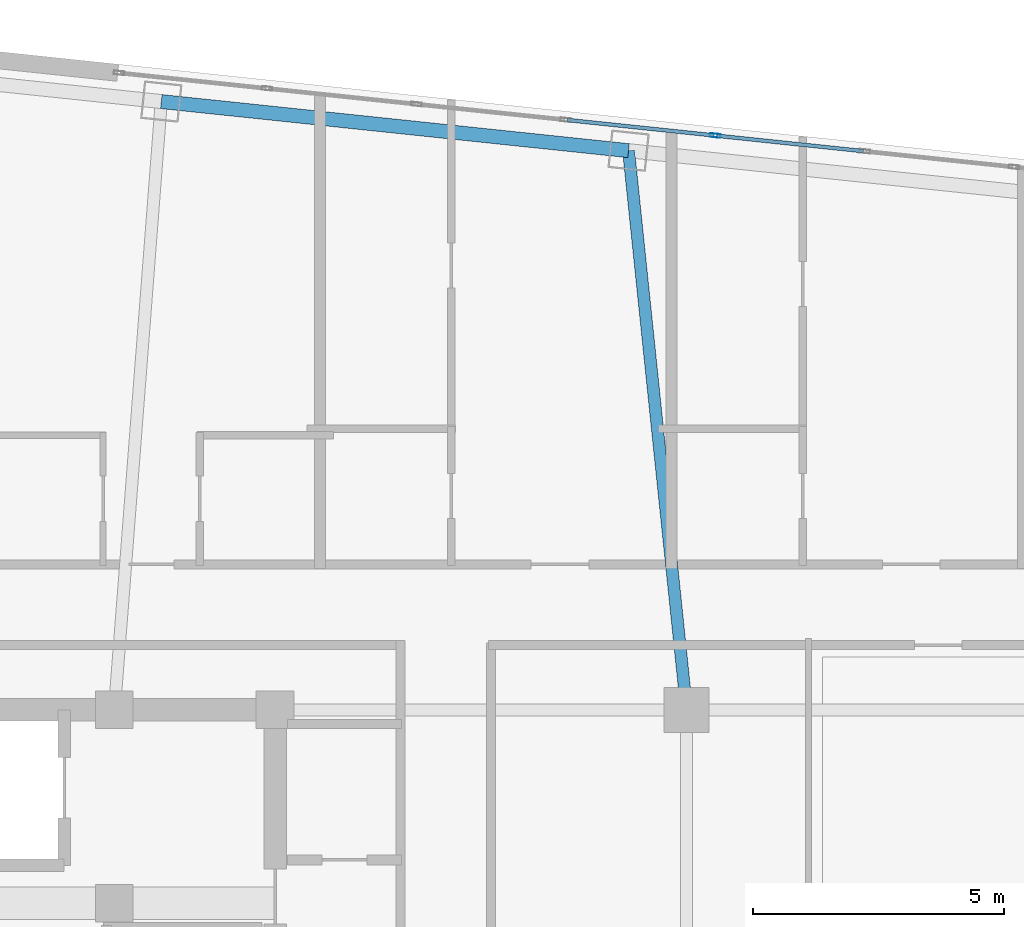
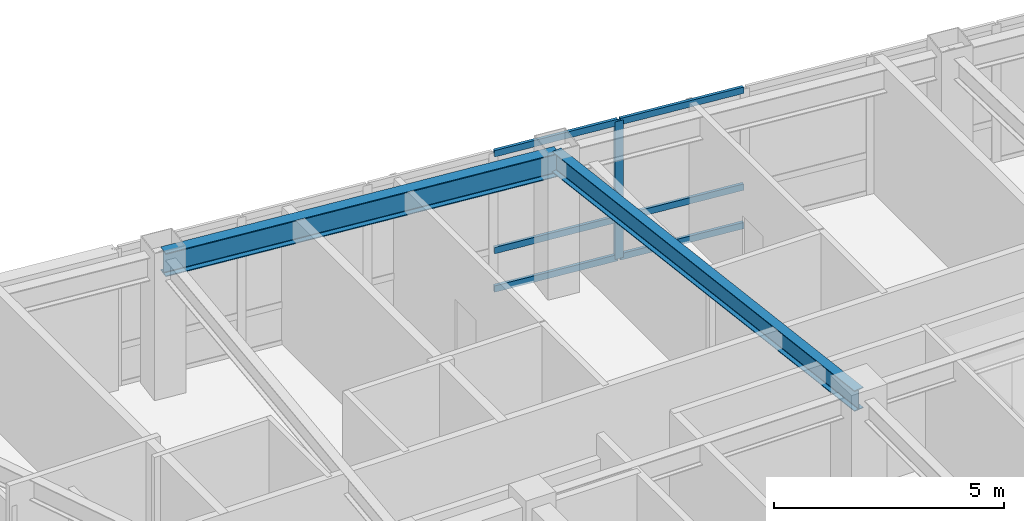
# One storey, part 3 of 16: 7 members, 2 beams, 1 element without a shape of its own.
"""IFC4 building model written with IfcOpenShell, lengths in metres."""

from ifc_helpers import new_model, si_unit, direction, frame, origin, origin_2d, place, context, subcontext, project, spatial, hollow_rectangle, i_section, extrude, material, layer, layer_set, material_profile, profile_set, type_object, element, aggregate, save


model = new_model("IFC4")

# Units and contexts
model_context = context("Model", 3, precision=1e-05, world=origin(), true_north=direction((0.0, 1.0)))
body_context = subcontext(model_context, "Body", "Model", "MODEL_VIEW")
ifc_project = project(units=[si_unit("LENGTHUNIT", "METRE"), si_unit("AREAUNIT", "SQUARE_METRE"), si_unit("VOLUMEUNIT", "CUBIC_METRE"), si_unit("PLANEANGLEUNIT", "RADIAN"), si_unit("MASSUNIT", "GRAM", prefix="KILO")], contexts=[model_context])

# Site, building, storey
site_placement = place(None, origin())
site = spatial("IfcSite", under=ifc_project, at=site_placement, CompositionType="ELEMENT")
building_placement = place(site_placement, origin())
building = spatial("IfcBuilding", under=site, at=building_placement, Name="Voryun Gate Residences", CompositionType="ELEMENT")
storey_placement = place(building_placement, frame((0.0, 0.0, 267.800048828125)))
storey = spatial("IfcBuildingStorey", under=building, at=storey_placement, Name="L66", CompositionType="ELEMENT", Elevation=267.800048828125)

# Beams
ifc_material_1 = material(Name="Steel SM355", Category="steel")
ifc_material_profile_1 = material_profile(ifc_material_1, i_section(OverallWidth=0.280029296875, OverallDepth=0.6201171875, WebThickness=0.013916015625, FlangeThickness=0.02197265625, FilletRadius=0.01806640625, at=origin_2d()), Name="H-620x280x14x22")
ifc_profile_set_1 = profile_set([ifc_material_profile_1], Name="Steel SM355")
beam_type_1 = type_object("IfcBeamType", Name="BM_EXO_SPANDREL_H", PredefinedType="SPANDREL", material=ifc_profile_set_1)
beam_1_placement = place(storey_placement, frame((-5.357177734375, 18.539794921875, 3.33984375), z_axis=(-0.994523303591, 0.104515064059, 0.0), x_axis=(-0.104515064059, -0.994523303591, 0.0)))
element("IfcBeam", 1, at=beam_1_placement, inside=storey, type_object=beam_type_1, Name="BM-L66-SPAND-14", PredefinedType="SPANDREL", context=body_context, shape_type="SweptSolid", body=[
    extrude(i_section(OverallWidth=0.280029296875, OverallDepth=0.6201171875, WebThickness=0.013916015625, FlangeThickness=0.02197265625, FilletRadius=0.01806640625, at=origin_2d()), origin(), (0.0, 0.0, 1.0), 9.360107421875),
])
ifc_material_2 = material(Name="Steel SM355", Category="steel")
ifc_material_profile_2 = material_profile(ifc_material_2, i_section(OverallWidth=0.239990234375, OverallDepth=0.550048828125, WebThickness=0.011962890625, FlangeThickness=0.02001953125, FilletRadius=0.01806640625, at=origin_2d()), Name="H-550x240x12x20")
ifc_profile_set_2 = profile_set([ifc_material_profile_2], Name="Steel SM355")
beam_type_2 = type_object("IfcBeamType", Name="BM_GIRD_550", PredefinedType="USERDEFINED", material=ifc_profile_set_2)
beam_2_placement = place(storey_placement, frame((-4.199951171875, 7.39990234375, 3.375), z_axis=(-0.103325291149, 0.994647618109, 0.0), x_axis=(-0.994647618109, -0.103325291149, 0.0)))
element("IfcBeam", 2, at=beam_2_placement, inside=storey, type_object=beam_type_2, Name="BM-L66-RAD-N4", ObjectType="GIRDER", PredefinedType="USERDEFINED", context=body_context, shape_type="SweptSolid", body=[
    extrude(i_section(OverallWidth=0.239990234375, OverallDepth=0.550048828125, WebThickness=0.011962890625, FlangeThickness=0.02001953125, FilletRadius=0.01806640625, at=origin_2d()), origin(), (0.0, 0.0, 1.0), 11.199951171875),
])

# Curtain wall, members
ifc_material_3 = material(Name="Anodised aluminium", Category="aluminium")
ifc_layer = layer(ifc_material_3, 0.2099609375, Name="CW_SYS_SKYGARDEN_DARK_GLASS")
ifc_layer_set = layer_set([ifc_layer], Name="Anodised aluminium")
curtain_wall_type = type_object("IfcCurtainWallType", Name="CW_SYS_SKYGARDEN_DARK_GLASS", PredefinedType="NOTDEFINED", material=ifc_layer_set)
curtain_wall_placement = place(storey_placement, origin())
curtain_wall = element("IfcCurtainWall", 3, at=curtain_wall_placement, inside=storey, type_object=curtain_wall_type, Name="Curtain wall CW5-L66-SG-11", PredefinedType="NOTDEFINED")
ifc_material_4 = material(Name="Anodised aluminium", Category="aluminium")
ifc_material_profile_3 = material_profile(ifc_material_4, hollow_rectangle(XDim=0.074951171875, YDim=0.2099609375, WallThickness=0.0048828125, at=origin_2d()), Name="ALU-MULL-210x75x5")
ifc_profile_set_3 = profile_set([ifc_material_profile_3], Name="Anodised aluminium")
member_type_1 = type_object("IfcMemberType", Name="CW_MULL_SKY", PredefinedType="MULLION", material=ifc_profile_set_3)
member_1_placement = place(storey_placement, frame((-3.62939453125, 18.8408203125, 0.0), z_axis=(0.0, 0.0, 1.0), x_axis=(0.104532256285, 0.994521496699, 0.0)))
member_1 = element("IfcMember", 4, at=member_1_placement, type_object=member_type_1, Name="CW5 mullion 5", PredefinedType="MULLION", context=body_context, shape_type="SweptSolid", body=[
    extrude(hollow_rectangle(XDim=0.074951171875, YDim=0.2099609375, WallThickness=0.0048828125, at=origin_2d()), origin(), (0.0, 0.0, 1.0), 3.64990234375),
])
ifc_material_5 = material(Name="Anodised aluminium", Category="aluminium")
ifc_material_profile_4 = material_profile(ifc_material_5, hollow_rectangle(XDim=0.074951171875, YDim=0.169921875, WallThickness=0.0048828125, at=origin_2d()), Name="ALU-TRAN-170x75x5")
ifc_profile_set_4 = profile_set([ifc_material_profile_4], Name="Anodised aluminium")
member_type_2 = type_object("IfcMemberType", Name="CW_TRAN_SKY", PredefinedType="USERDEFINED", material=ifc_profile_set_4)
member_2_placement = place(storey_placement, frame((-6.576171875, 19.150634765625, 0.030029296875), z_axis=(0.994520038301, -0.104546130575, 0.0), x_axis=(0.104546130575, 0.994520038301, 0.0)))
member_2 = element("IfcMember", 5, at=member_2_placement, type_object=member_type_2, Name="CW5 transom 4.1", ObjectType="TRANSOM", PredefinedType="USERDEFINED", context=body_context, shape_type="SweptSolid", body=[
    extrude(hollow_rectangle(XDim=0.074951171875, YDim=0.169921875, WallThickness=0.0048828125, at=origin_2d()), origin(), (0.0, 0.0, 1.0), 2.93310546875),
])
member_3_placement = place(storey_placement, frame((-6.576171875, 19.150634765625, 1.050048828125), z_axis=(0.994520038301, -0.104546130575, 0.0), x_axis=(0.104546130575, 0.994520038301, 0.0)))
member_3 = element("IfcMember", 6, at=member_3_placement, type_object=member_type_2, Name="CW5 transom 4.2", ObjectType="TRANSOM", PredefinedType="USERDEFINED", context=body_context, shape_type="SweptSolid", body=[
    extrude(hollow_rectangle(XDim=0.074951171875, YDim=0.169921875, WallThickness=0.0048828125, at=origin_2d()), origin(), (0.0, 0.0, 1.0), 2.93310546875),
])
member_4_placement = place(storey_placement, frame((-6.576171875, 19.150634765625, 3.619873046875), z_axis=(0.994520038301, -0.104546130575, 0.0), x_axis=(0.104546130575, 0.994520038301, 0.0)))
member_4 = element("IfcMember", 7, at=member_4_placement, type_object=member_type_2, Name="CW5 transom 4.3", ObjectType="TRANSOM", PredefinedType="USERDEFINED", context=body_context, shape_type="SweptSolid", body=[
    extrude(hollow_rectangle(XDim=0.074951171875, YDim=0.169921875, WallThickness=0.0048828125, at=origin_2d()), origin(), (0.0, 0.0, 1.0), 2.93310546875),
])
member_5_placement = place(storey_placement, frame((-3.599365234375, 18.837646484375, 0.030029296875), z_axis=(0.994520038301, -0.104546130575, 0.0), x_axis=(0.104546130575, 0.994520038301, 0.0)))
member_5 = element("IfcMember", 8, at=member_5_placement, type_object=member_type_2, Name="CW5 transom 5.1", ObjectType="TRANSOM", PredefinedType="USERDEFINED", context=body_context, shape_type="SweptSolid", body=[
    extrude(hollow_rectangle(XDim=0.074951171875, YDim=0.169921875, WallThickness=0.0048828125, at=origin_2d()), origin(), (0.0, 0.0, 1.0), 2.93310546875),
])
member_6_placement = place(storey_placement, frame((-3.599365234375, 18.837646484375, 1.050048828125), z_axis=(0.994520038301, -0.104546130575, 0.0), x_axis=(0.104546130575, 0.994520038301, 0.0)))
member_6 = element("IfcMember", 9, at=member_6_placement, type_object=member_type_2, Name="CW5 transom 5.2", ObjectType="TRANSOM", PredefinedType="USERDEFINED", context=body_context, shape_type="SweptSolid", body=[
    extrude(hollow_rectangle(XDim=0.074951171875, YDim=0.169921875, WallThickness=0.0048828125, at=origin_2d()), origin(), (0.0, 0.0, 1.0), 2.93310546875),
])
member_7_placement = place(storey_placement, frame((-3.599365234375, 18.837646484375, 3.619873046875), z_axis=(0.994520038301, -0.104546130575, 0.0), x_axis=(0.104546130575, 0.994520038301, 0.0)))
member_7 = element("IfcMember", 10, at=member_7_placement, type_object=member_type_2, Name="CW5 transom 5.3", ObjectType="TRANSOM", PredefinedType="USERDEFINED", context=body_context, shape_type="SweptSolid", body=[
    extrude(hollow_rectangle(XDim=0.074951171875, YDim=0.169921875, WallThickness=0.0048828125, at=origin_2d()), origin(), (0.0, 0.0, 1.0), 2.93310546875),
])
aggregate(curtain_wall, [member_1, member_2, member_3, member_4, member_5, member_6, member_7])

save(model, "model.ifc")
